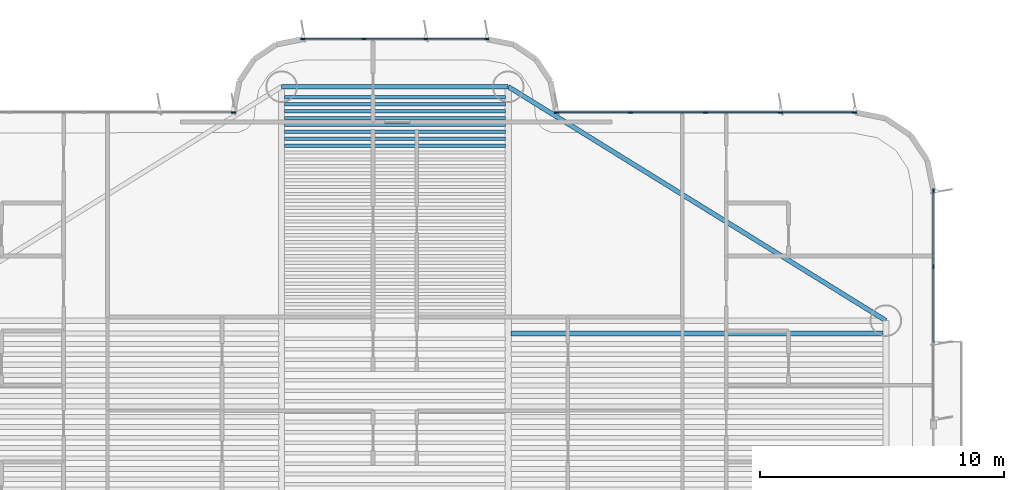
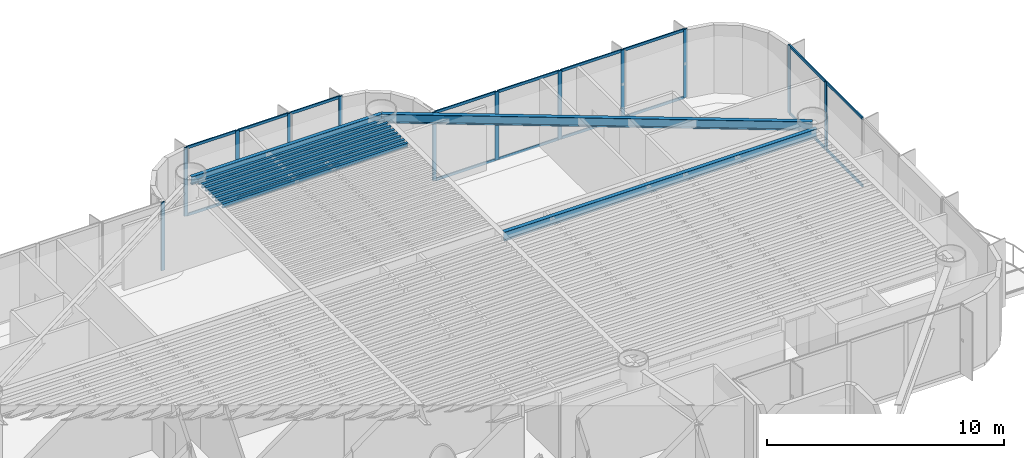
# One storey, part 7 of 17: 30 members, 11 beams, 4 elements without a shape of their own.
"""IFC4 building model written with IfcOpenShell, lengths in metres."""

import ifcopenshell
import ifcopenshell.guid

model = None  # the IFC model being written
_history = None  # IfcOwnerHistory: only IFC2X3 demands one
_inside = {}  # id of a spatial element -> (the spatial element, [elements in it])
_under = {}  # id of a project, library or spatial element -> (it, [spatial elements below it])
_declared = {}  # id of a project -> (the project, [libraries it declares])
_typed = {}  # id of a type object -> (the type object, [elements of that type])
_made_of = {}  # id of a material, layer set ... -> (it, [elements and type objects made of it])


def new_model(schema):
    """Start an empty IFC model of exactly this schema.

    Asked for "IFC4X3", IfcOpenShell would pick the latest addendum, in which some entities
    have other attributes; the version numbers below select the first issue.
    IFC2X3 requires an IfcOwnerHistory on every rooted entity: one is made here for all.
    """
    global model, _history
    if schema == "IFC4X3":
        model = ifcopenshell.file(schema_version=(4, 3, 0, 0))
    else:
        model = ifcopenshell.file(schema=schema)
    _inside.clear()
    _under.clear()
    _declared.clear()
    _typed.clear()
    _made_of.clear()
    _history = None
    if model.schema == "IFC2X3":
        org = make("IfcOrganization", Name="unknown")
        user = make(
            "IfcPersonAndOrganization",
            ThePerson=make("IfcPerson", FamilyName="unknown"),
            TheOrganization=org,
        )
        app = make(
            "IfcApplication",
            ApplicationDeveloper=org,
            Version="unknown",
            ApplicationFullName="unknown",
            ApplicationIdentifier="unknown",
        )
        _history = make(
            "IfcOwnerHistory",
            OwningUser=user,
            OwningApplication=app,
            ChangeAction="ADDED",
            CreationDate=0,
        )
    return model


def make(cls, **values):
    """One entity of the class cls with the attributes given. An attribute that is None is left unset."""
    return model.create_entity(
        cls, **{name: value for name, value in values.items() if value is not None}
    )


def rooted(cls, **values):
    """An entity with a GlobalId (a new one), such as an element, a storey or a relation."""
    return make(cls, GlobalId=ifcopenshell.guid.new(), OwnerHistory=_history, **values)


def si_unit(unit_type, name, prefix=None):
    """IfcSIUnit, for example si_unit("LENGTHUNIT", "METRE", prefix="MILLI")."""
    return make("IfcSIUnit", UnitType=unit_type, Prefix=prefix, Name=name)


def assignment(units):
    """IfcUnitAssignment: the units of a project."""
    return None if units is None else make("IfcUnitAssignment", Units=units)


def point(xyz):
    """IfcCartesianPoint."""
    return None if xyz is None else make("IfcCartesianPoint", Coordinates=xyz)


def direction(xyz):
    """IfcDirection."""
    return None if xyz is None else make("IfcDirection", DirectionRatios=xyz)


def frame(location, z_axis=None, x_axis=None):
    """IfcAxis2Placement3D, a coordinate frame: its origin and axes. An axis left out is left unset."""
    return make(
        "IfcAxis2Placement3D",
        Location=point(location),
        Axis=direction(z_axis),
        RefDirection=direction(x_axis),
    )


def frame_2d(location, x_axis=None):
    """IfcAxis2Placement2D, a coordinate frame in the plane: its origin and x axis."""
    return make(
        "IfcAxis2Placement2D", Location=point(location), RefDirection=direction(x_axis)
    )


def origin():
    """The frame at (0, 0, 0) with its axes left unset."""
    return frame((0.0, 0.0, 0.0))


def origin_2d():
    """The frame at (0, 0) in the plane with its x axis left unset."""
    return frame_2d((0.0, 0.0))


def place(relative_to, where):
    """IfcLocalPlacement: puts the frame where relative to a parent placement (None: the world)."""
    return make(
        "IfcLocalPlacement", PlacementRelTo=relative_to, RelativePlacement=where
    )


def context(
    kind, dimensions, precision=None, world=None, true_north=None, identifier=None
):
    """IfcGeometricRepresentationContext, for example the 3D "Model" context."""
    return make(
        "IfcGeometricRepresentationContext",
        ContextIdentifier=identifier,
        ContextType=kind,
        CoordinateSpaceDimension=dimensions,
        Precision=precision,
        WorldCoordinateSystem=world,
        TrueNorth=true_north,
    )


def subcontext(parent, identifier, kind, view, scale=None):
    """IfcGeometricRepresentationSubContext, for example "Body" below "Model"."""
    return make(
        "IfcGeometricRepresentationSubContext",
        ContextIdentifier=identifier,
        ContextType=kind,
        ParentContext=parent,
        TargetScale=scale,
        TargetView=view,
    )


def project(units=None, contexts=None):
    """IfcProject with its units and contexts."""
    return rooted(
        "IfcProject",
        Name="project",
        RepresentationContexts=contexts,
        UnitsInContext=assignment(units),
    )


def spatial(cls, under=None, at=None, **own):
    """A site, building, storey or space (cls), placed at a placement, below another one or the project."""
    s = rooted(cls, ObjectPlacement=at, **own)
    if under is not None:
        _under.setdefault(under.id(), (under, []))[1].append(s)
    return s


def profile(cls, at=None, kind="AREA", **sizes):
    """A parametric profile (cls). Its sizes go by their IFC names, for example OverallWidth=200.0."""
    return make(cls, ProfileType=kind, Position=at, **sizes)


def rectangle(**sizes):
    """IfcRectangleProfileDef."""
    return profile("IfcRectangleProfileDef", **sizes)


def i_section(**sizes):
    """IfcIShapeProfileDef."""
    return profile("IfcIShapeProfileDef", **sizes)


def extrude(swept, where, along, depth):
    """IfcExtrudedAreaSolid: the profile swept, set in the frame where, extruded along a direction by depth."""
    return make(
        "IfcExtrudedAreaSolid",
        SweptArea=swept,
        Position=where,
        ExtrudedDirection=direction(along),
        Depth=depth,
    )


def shape(context_of_items, identifier, shape_type, items):
    """IfcShapeRepresentation: the items that make up one representation, for example the "Body"."""
    return make(
        "IfcShapeRepresentation",
        ContextOfItems=context_of_items,
        RepresentationIdentifier=identifier,
        RepresentationType=shape_type,
        Items=items,
    )


def source(mapping_origin, context_of_items, identifier, shape_type, items):
    """IfcRepresentationMap: a shape defined once, which mapped items show again and again."""
    return make(
        "IfcRepresentationMap",
        MappingOrigin=mapping_origin,
        MappedRepresentation=shape(context_of_items, identifier, shape_type, items),
    )


def transform(
    local_origin,
    x_axis=None,
    y_axis=None,
    z_axis=None,
    scale=None,
    scale2=None,
    scale3=None,
    uniform=True,
):
    """IfcCartesianTransformationOperator3D, or its non-uniform kind. x_axis, y_axis, z_axis: its Axis1, 2, 3."""
    if uniform:
        return make(
            "IfcCartesianTransformationOperator3D",
            Axis1=direction(x_axis),
            Axis2=direction(y_axis),
            LocalOrigin=point(local_origin),
            Scale=scale,
            Axis3=direction(z_axis),
        )
    return make(
        "IfcCartesianTransformationOperator3DnonUniform",
        Axis1=direction(x_axis),
        Axis2=direction(y_axis),
        LocalOrigin=point(local_origin),
        Scale=scale,
        Axis3=direction(z_axis),
        Scale2=scale2,
        Scale3=scale3,
    )


def mapped(mapping_source, mapping_target):
    """IfcMappedItem: shows the shape of a source again, moved by a transform."""
    return make(
        "IfcMappedItem", MappingSource=mapping_source, MappingTarget=mapping_target
    )


def material(Name=None, Category=None):
    """IfcMaterial."""
    return make("IfcMaterial", Name=Name, Category=Category)


def layer(
    of_material, thickness, ventilated=None, Name=None, Category=None, Priority=None
):
    """IfcMaterialLayer: one layer of a wall or slab, of a material (None: an air gap)."""
    return make(
        "IfcMaterialLayer",
        Material=of_material,
        LayerThickness=thickness,
        IsVentilated=ventilated,
        Name=Name,
        Category=Category,
        Priority=Priority,
    )


def layer_set(layers, Name=None):
    """IfcMaterialLayerSet."""
    return make("IfcMaterialLayerSet", MaterialLayers=layers, LayerSetName=Name)


def material_profile(
    of_material, cross_section, Name=None, Category=None, Priority=None
):
    """IfcMaterialProfile: a cross section and its material."""
    return make(
        "IfcMaterialProfile",
        Name=Name,
        Material=of_material,
        Profile=cross_section,
        Priority=Priority,
        Category=Category,
    )


def profile_set(profiles, Name=None, composite=None):
    """IfcMaterialProfileSet."""
    return make(
        "IfcMaterialProfileSet",
        Name=Name,
        MaterialProfiles=profiles,
        CompositeProfile=composite,
    )


def made_of(thing, what):
    """Note that an element or type object is made of a material, layer set ...; save() writes the relation."""
    if what is not None:
        _made_of.setdefault(what.id(), (what, []))[1].append(thing)
    return thing


def type_object(cls, material=None, **own):
    """A type object (cls), such as IfcWallType, which elements share."""
    return made_of(rooted(cls, **own), material)


def element(
    cls,
    number,
    at=None,
    inside=None,
    cuts=None,
    type_object=None,
    material=None,
    context=None,
    identifier="Body",
    shape_type=None,
    held_by="IfcProductDefinitionShape",
    body=None,
    shapes=None,
    **own,
):
    """One element of the class cls, such as IfcWall. Its Tag is "e" and its number.

    at: its placement. inside: the storey or other place that contains it. cuts: it is an
    opening in that element (IfcRelVoidsElement). A single representation is given by context,
    identifier, shape_type and body (its items); several are given by shapes. held_by: the class
    of the entity that holds the representations. save() writes the other relations.
    """
    e = rooted(cls, Tag="e%d" % number, ObjectPlacement=at, **own)
    if body is not None:
        shapes = [shape(context, identifier, shape_type, body)]
    if shapes is not None:
        e.Representation = make(held_by, Representations=shapes)
    if inside is not None:
        _inside.setdefault(inside.id(), (inside, []))[1].append(e)
    if cuts is not None:
        rooted(
            "IfcRelVoidsElement", RelatingBuildingElement=cuts, RelatedOpeningElement=e
        )
    if type_object is not None:
        _typed.setdefault(type_object.id(), (type_object, []))[1].append(e)
    return made_of(e, material)


def aggregate(whole, parts):
    """IfcRelAggregates: a whole, such as a stair, and the parts it consists of."""
    return rooted("IfcRelAggregates", RelatingObject=whole, RelatedObjects=parts)


def save(model, path):
    """Write the relations noted so far, then the file.

    IfcRelAggregates (storeys below a building ...), IfcRelContainedInSpatialStructure (elements
    in a storey), IfcRelDefinesByType, IfcRelAssociatesMaterial and IfcRelDeclares: one each for
    every whole, place, type object, material and project.
    """
    for whole, parts in _under.values():
        aggregate(whole, parts)
    for where, things in _inside.values():
        rooted(
            "IfcRelContainedInSpatialStructure",
            RelatedElements=things,
            RelatingStructure=where,
        )
    for kind, things in _typed.values():
        rooted("IfcRelDefinesByType", RelatedObjects=things, RelatingType=kind)
    for what, things in _made_of.values():
        rooted("IfcRelAssociatesMaterial", RelatedObjects=things, RelatingMaterial=what)
    for by, libraries in _declared.values():
        rooted("IfcRelDeclares", RelatingContext=by, RelatedDefinitions=libraries)
    model.write(path)


model = new_model("IFC4")

# Units and contexts
model_context = context("Model", 3, precision=1e-05, world=origin(), true_north=direction((0.0, 1.0)))
body_context = subcontext(model_context, "Body", "Model", "MODEL_VIEW")
ifc_project = project(units=[si_unit("LENGTHUNIT", "METRE"), si_unit("AREAUNIT", "SQUARE_METRE"), si_unit("VOLUMEUNIT", "CUBIC_METRE"), si_unit("PLANEANGLEUNIT", "RADIAN"), si_unit("MASSUNIT", "GRAM", prefix="KILO")], contexts=[model_context])

# Site, building, storey
site_placement = place(None, origin())
site = spatial("IfcSite", under=ifc_project, at=site_placement, CompositionType="ELEMENT")
building_placement = place(site_placement, origin())
building = spatial("IfcBuilding", under=site, at=building_placement, Name="Brelvock Crest Care Tower", CompositionType="ELEMENT")
storey_placement = place(building_placement, frame((0.0, 0.0, 131.39990234375)))
storey = spatial("IfcBuildingStorey", under=building, at=storey_placement, Name="L33", CompositionType="ELEMENT", Elevation=131.39990234375)

# Beams
ifc_material_1 = material(Name="Steel Grade 350", Category="steel")
ifc_material_profile_1 = material_profile(ifc_material_1, i_section(OverallWidth=0.177978515625, OverallDepth=0.406005859375, WebThickness=0.0078125, FlangeThickness=0.0126953125, FilletRadius=0.011474609375, at=origin_2d()), Name="410UB59.7")
ifc_profile_set_1 = profile_set([ifc_material_profile_1], Name="Steel Grade 350")
beam_type_1 = type_object("IfcBeamType", Name="BM-SP1", PredefinedType="SPANDREL", material=ifc_profile_set_1)
shared_shape_1 = source(origin(), body_context, "Body", "SweptSolid", [
    extrude(i_section(OverallWidth=0.177978515625, OverallDepth=0.406005859375, WebThickness=0.0078125, FlangeThickness=0.0126953125, FilletRadius=0.011474609375, at=origin_2d()), origin(), (0.0, 0.0, 1.0), 9.2998046875),
])
beam_1_placement = place(storey_placement, frame((31.35009765625, 48.449951171875, 3.3271484375), z_axis=(1.0, 0.0, 0.0), x_axis=(0.0, 1.0, 0.0)))
element("IfcBeam", 1, at=beam_1_placement, inside=storey, type_object=beam_type_1, Name="BM-TWR-L33-08", PredefinedType="SPANDREL", context=body_context, shape_type="MappedRepresentation", body=[
    mapped(shared_shape_1, transform((0.0, 0.0, 0.0), x_axis=(1.0, 0.0, 0.0), y_axis=(0.0, 1.0, 0.0), z_axis=(0.0, 0.0, 1.0), scale=1.0)),
])
ifc_material_profile_2 = material_profile(ifc_material_1, i_section(OverallWidth=0.134033203125, OverallDepth=0.20703125, WebThickness=0.00634765625, FlangeThickness=0.009521484375, FilletRadius=0.0087890625, at=origin_2d()), Name="200UB29.8")
ifc_profile_set_2 = profile_set([ifc_material_profile_2], Name="Steel Grade 350")
beam_type_2 = type_object("IfcBeamType", Name="BM-J4", PredefinedType="JOIST", material=ifc_profile_set_2)
shared_shape_2 = source(origin(), body_context, "Body", "SweptSolid", [
    extrude(i_section(OverallWidth=0.134033203125, OverallDepth=0.20703125, WebThickness=0.00634765625, FlangeThickness=0.009521484375, FilletRadius=0.0087890625, at=origin_2d()), origin(), (0.0, 0.0, 1.0), 9.06982421875),
])
for number, where, z_axis, x_axis, name in (
    (2, (31.465087890625, 46.03076171875, 3.426513671875), (1.0, 0.0, 0.0), (0.0, 1.0, 0.0), "BM-JN-L33-25"),
    (3, (31.465087890625, 46.31396484375, 3.426513671875), (1.0, 0.0, 0.0), (0.0, 1.0, 0.0), "BM-JN-L33-26"),
    (4, (31.465087890625, 46.59716796875, 3.426513671875), (1.0, 0.0, 0.0), (0.0, 1.0, 0.0), "BM-JN-L33-27"),
    (5, (31.465087890625, 46.88037109375, 3.426513671875), (1.0, 0.0, 0.0), (0.0, 1.0, 0.0), "BM-JN-L33-28"),
    (6, (31.465087890625, 47.16357421875, 3.426513671875), (1.0, 0.0, 0.0), (0.0, 1.0, 0.0), "BM-JN-L33-29"),
    (7, (31.465087890625, 47.44677734375, 3.426513671875), (1.0, 0.0, 0.0), (0.0, 1.0, 0.0), "BM-JN-L33-30"),
    (8, (31.465087890625, 47.72998046875, 3.426513671875), (1.0, 0.0, 0.0), (0.0, 1.0, 0.0), "BM-JN-L33-31"),
    (9, (31.465087890625, 48.01318359375, 3.426513671875), (1.0, 0.0, 0.0), (0.0, 1.0, 0.0), "BM-JN-L33-32"),
):
    element("IfcBeam", number, at=place(storey_placement, frame(where, z_axis=z_axis, x_axis=x_axis)), inside=storey, type_object=beam_type_2, Name=name, PredefinedType="JOIST", context=body_context, shape_type="MappedRepresentation", body=[
        mapped(shared_shape_2, transform((0.0, 0.0, 0.0), x_axis=(1.0, 0.0, 0.0), y_axis=(0.0, 1.0, 0.0), z_axis=(0.0, 0.0, 1.0), scale=1.0)),
    ])
ifc_material_profile_3 = material_profile(ifc_material_1, i_section(OverallWidth=0.19091796875, OverallDepth=0.4599609375, WebThickness=0.010009765625, FlangeThickness=0.01611328125, FilletRadius=0.011474609375, at=origin_2d()), Name="460UB82.1")
ifc_profile_set_3 = profile_set([ifc_material_profile_3], Name="Steel Grade 350")
beam_type_3 = type_object("IfcBeamType", Name="BM-G3", PredefinedType="BEAM", material=ifc_profile_set_3)
shared_shape_3 = source(origin(), body_context, "Body", "SweptSolid", [
    extrude(i_section(OverallWidth=0.19091796875, OverallDepth=0.4599609375, WebThickness=0.010009765625, FlangeThickness=0.01611328125, FilletRadius=0.011474609375, at=origin_2d()), origin(), (0.0, 0.0, 1.0), 15.27001953125),
])
beam_2_placement = place(storey_placement, frame((40.764892578125, 38.317626953125, 3.300048828125), z_axis=(1.0, 0.0, 0.0), x_axis=(0.0, 1.0, 0.0)))
element("IfcBeam", 10, at=beam_2_placement, inside=storey, type_object=beam_type_3, Name="BM-JE-L33-26", PredefinedType="BEAM", context=body_context, shape_type="MappedRepresentation", body=[
    mapped(shared_shape_3, transform((0.0, 0.0, 0.0), x_axis=(1.0, 0.0, 0.0), y_axis=(0.0, 1.0, 0.0), z_axis=(0.0, 0.0, 1.0), scale=1.0)),
])
ifc_material_profile_4 = material_profile(ifc_material_1, i_section(OverallWidth=0.19091796875, OverallDepth=0.4599609375, WebThickness=0.010009765625, FlangeThickness=0.01611328125, FilletRadius=0.011474609375, at=origin_2d()), Name="460UB82.1")
ifc_profile_set_4 = profile_set([ifc_material_profile_4], Name="Steel Grade 350")
beam_type_4 = type_object("IfcBeamType", Name="BM-SP2", PredefinedType="SPANDREL", material=ifc_profile_set_4)
shared_shape_4 = source(origin(), body_context, "Body", "SweptSolid", [
    extrude(i_section(OverallWidth=0.19091796875, OverallDepth=0.4599609375, WebThickness=0.010009765625, FlangeThickness=0.01611328125, FilletRadius=0.011474609375, at=origin_2d()), origin(), (0.0, 0.0, 1.0), 18.23193359375),
])
beam_3_placement = place(storey_placement, frame((40.64990234375, 48.449951171875, 3.300048828125), z_axis=(0.85015183248, -0.526537616635, 0.0), x_axis=(0.526537616635, 0.85015183248, 0.0)))
element("IfcBeam", 11, at=beam_3_placement, inside=storey, type_object=beam_type_4, Name="BM-TWR-L33-07", PredefinedType="SPANDREL", context=body_context, shape_type="MappedRepresentation", body=[
    mapped(shared_shape_4, transform((0.0, 0.0, 0.0), x_axis=(1.0, 0.0, 0.0), y_axis=(0.0, 1.0, 0.0), z_axis=(0.0, 0.0, 1.0), scale=1.0)),
])

# Curtain wall, member
ifc_material_2 = material(Name="Dark Glass Double Glazed Low-E", Category="glass")
ifc_layer = layer(ifc_material_2, 0.2099609375, Name="CWS-3")
ifc_layer_set = layer_set([ifc_layer], Name="Dark Glass Double Glazed Low-E")
curtain_wall_type = type_object("IfcCurtainWallType", Name="CWS-3", PredefinedType="NOTDEFINED", material=ifc_layer_set)
curtain_wall_1_placement = place(storey_placement, origin())
curtain_wall_1 = element("IfcCurtainWall", 12, at=curtain_wall_1_placement, inside=storey, type_object=curtain_wall_type, Name="L33 Curtain Wall E22", PredefinedType="NOTDEFINED")
ifc_material_3 = material(Name="Aluminium 6063-T6", Category="aluminium")
ifc_material_profile_5 = material_profile(ifc_material_3, rectangle(XDim=0.06005859375, YDim=0.179931640625, at=origin_2d()), Name="ALU60x180")
ifc_profile_set_5 = profile_set([ifc_material_profile_5], Name="Aluminium 6063-T6")
member_type_1 = type_object("IfcMemberType", Name="CWM-2", PredefinedType="MULLION", material=ifc_profile_set_5)
shared_shape_5 = source(origin(), body_context, "Body", "SweptSolid", [
    extrude(rectangle(XDim=0.06005859375, YDim=0.179931640625, at=origin_2d()), origin(), (0.0, 0.0, 1.0), 3.530029296875),
])
member_1_placement = place(storey_placement, frame((29.3701171875, 47.39990234375, 0.0), z_axis=(0.0, 0.0, 1.0), x_axis=(0.0, 1.0, 0.0)))
member_1 = element("IfcMember", 13, at=member_1_placement, type_object=member_type_1, Name="CW-3 mullion 5", PredefinedType="MULLION", context=body_context, shape_type="MappedRepresentation", body=[
    mapped(shared_shape_5, transform((0.0, 0.0, 0.0), x_axis=(1.0, 0.0, 0.0), y_axis=(0.0, 1.0, 0.0), z_axis=(0.0, 0.0, 1.0), scale=1.0)),
])
aggregate(curtain_wall_1, [member_1])

# Curtain wall, members
curtain_wall_2_placement = place(storey_placement, origin())
curtain_wall_2 = element("IfcCurtainWall", 14, at=curtain_wall_2_placement, inside=storey, type_object=curtain_wall_type, Name="L33 Curtain Wall E28", PredefinedType="NOTDEFINED")
member_2_placement = place(storey_placement, frame((32.22998046875, 50.39990234375, 0.0), z_axis=(0.0, 0.0, 1.0), x_axis=(0.0, 1.0, 0.0)))
member_2 = element("IfcMember", 15, at=member_2_placement, type_object=member_type_1, Name="CW-3 mullion 1", PredefinedType="MULLION", context=body_context, shape_type="MappedRepresentation", body=[
    mapped(shared_shape_5, transform((0.0, 0.0, 0.0), x_axis=(1.0, 0.0, 0.0), y_axis=(0.0, 1.0, 0.0), z_axis=(0.0, 0.0, 1.0), scale=1.0)),
])
member_3_placement = place(storey_placement, frame((34.7333984375, 50.39990234375, 0.0), z_axis=(0.0, 0.0, 1.0), x_axis=(0.0, 1.0, 0.0)))
member_3 = element("IfcMember", 16, at=member_3_placement, type_object=member_type_1, Name="CW-3 mullion 2", PredefinedType="MULLION", context=body_context, shape_type="MappedRepresentation", body=[
    mapped(shared_shape_5, transform((0.0, 0.0, 0.0), x_axis=(1.0, 0.0, 0.0), y_axis=(0.0, 1.0, 0.0), z_axis=(0.0, 0.0, 1.0), scale=1.0)),
])
member_4_placement = place(storey_placement, frame((37.2666015625, 50.39990234375, 0.0), z_axis=(0.0, 0.0, 1.0), x_axis=(0.0, 1.0, 0.0)))
member_4 = element("IfcMember", 17, at=member_4_placement, type_object=member_type_1, Name="CW-3 mullion 3", PredefinedType="MULLION", context=body_context, shape_type="MappedRepresentation", body=[
    mapped(shared_shape_5, transform((0.0, 0.0, 0.0), x_axis=(1.0, 0.0, 0.0), y_axis=(0.0, 1.0, 0.0), z_axis=(0.0, 0.0, 1.0), scale=1.0)),
])
member_5_placement = place(storey_placement, frame((39.77001953125, 50.39990234375, 0.0), z_axis=(0.0, 0.0, 1.0), x_axis=(0.0, 1.0, 0.0)))
member_5 = element("IfcMember", 18, at=member_5_placement, type_object=member_type_1, Name="CW-3 mullion 4", PredefinedType="MULLION", context=body_context, shape_type="MappedRepresentation", body=[
    mapped(shared_shape_5, transform((0.0, 0.0, 0.0), x_axis=(1.0, 0.0, 0.0), y_axis=(0.0, 1.0, 0.0), z_axis=(0.0, 0.0, 1.0), scale=1.0)),
])

curtain_wall_3_placement = place(storey_placement, origin())
curtain_wall_3 = element("IfcCurtainWall", 19, at=curtain_wall_3_placement, inside=storey, type_object=curtain_wall_type, Name="L33 Curtain Wall E34", PredefinedType="NOTDEFINED")
member_6_placement = place(storey_placement, frame((42.6298828125, 47.39990234375, 0.0), z_axis=(0.0, 0.0, 1.0), x_axis=(0.0, 1.0, 0.0)))
member_6 = element("IfcMember", 20, at=member_6_placement, type_object=member_type_1, Name="CW-3 mullion 1", PredefinedType="MULLION", context=body_context, shape_type="MappedRepresentation", body=[
    mapped(shared_shape_5, transform((0.0, 0.0, 0.0), x_axis=(1.0, 0.0, 0.0), y_axis=(0.0, 1.0, 0.0), z_axis=(0.0, 0.0, 1.0), scale=1.0)),
])
member_7_placement = place(storey_placement, frame((45.675048828125, 47.39990234375, 0.0), z_axis=(0.0, 0.0, 1.0), x_axis=(0.0, 1.0, 0.0)))
member_7 = element("IfcMember", 21, at=member_7_placement, type_object=member_type_1, Name="CW-3 mullion 2", PredefinedType="MULLION", context=body_context, shape_type="MappedRepresentation", body=[
    mapped(shared_shape_5, transform((0.0, 0.0, 0.0), x_axis=(1.0, 0.0, 0.0), y_axis=(0.0, 1.0, 0.0), z_axis=(0.0, 0.0, 1.0), scale=1.0)),
])
member_8_placement = place(storey_placement, frame((48.75, 47.39990234375, 0.0), z_axis=(0.0, 0.0, 1.0), x_axis=(0.0, 1.0, 0.0)))
member_8 = element("IfcMember", 22, at=member_8_placement, type_object=member_type_1, Name="CW-3 mullion 3", PredefinedType="MULLION", context=body_context, shape_type="MappedRepresentation", body=[
    mapped(shared_shape_5, transform((0.0, 0.0, 0.0), x_axis=(1.0, 0.0, 0.0), y_axis=(0.0, 1.0, 0.0), z_axis=(0.0, 0.0, 1.0), scale=1.0)),
])
member_9_placement = place(storey_placement, frame((51.824951171875, 47.39990234375, 0.0), z_axis=(0.0, 0.0, 1.0), x_axis=(0.0, 1.0, 0.0)))
member_9 = element("IfcMember", 23, at=member_9_placement, type_object=member_type_1, Name="CW-3 mullion 4", PredefinedType="MULLION", context=body_context, shape_type="MappedRepresentation", body=[
    mapped(shared_shape_5, transform((0.0, 0.0, 0.0), x_axis=(1.0, 0.0, 0.0), y_axis=(0.0, 1.0, 0.0), z_axis=(0.0, 0.0, 1.0), scale=1.0)),
])
member_10_placement = place(storey_placement, frame((54.8701171875, 47.39990234375, 0.0), z_axis=(0.0, 0.0, 1.0), x_axis=(0.0, 1.0, 0.0)))
member_10 = element("IfcMember", 24, at=member_10_placement, type_object=member_type_1, Name="CW-3 mullion 5", PredefinedType="MULLION", context=body_context, shape_type="MappedRepresentation", body=[
    mapped(shared_shape_5, transform((0.0, 0.0, 0.0), x_axis=(1.0, 0.0, 0.0), y_axis=(0.0, 1.0, 0.0), z_axis=(0.0, 0.0, 1.0), scale=1.0)),
])

curtain_wall_4_placement = place(storey_placement, origin())
curtain_wall_4 = element("IfcCurtainWall", 25, at=curtain_wall_4_placement, inside=storey, type_object=curtain_wall_type, Name="L33 Curtain Wall E39A", PredefinedType="NOTDEFINED")
member_11_placement = place(storey_placement, frame((58.10009765625, 44.169921875, 0.0), z_axis=(0.0, 0.0, 1.0), x_axis=(1.0, 0.0, 0.0)))
member_11 = element("IfcMember", 26, at=member_11_placement, type_object=member_type_1, Name="CW-3 mullion 1", PredefinedType="MULLION", context=body_context, shape_type="MappedRepresentation", body=[
    mapped(shared_shape_5, transform((0.0, 0.0, 0.0), x_axis=(1.0, 0.0, 0.0), y_axis=(0.0, 1.0, 0.0), z_axis=(0.0, 0.0, 1.0), scale=1.0)),
])
member_12_placement = place(storey_placement, frame((58.10009765625, 41.066650390625, 0.0), z_axis=(0.0, 0.0, 1.0), x_axis=(1.0, 0.0, 0.0)))
member_12 = element("IfcMember", 27, at=member_12_placement, type_object=member_type_1, Name="CW-3 mullion 2", PredefinedType="MULLION", context=body_context, shape_type="MappedRepresentation", body=[
    mapped(shared_shape_5, transform((0.0, 0.0, 0.0), x_axis=(1.0, 0.0, 0.0), y_axis=(0.0, 1.0, 0.0), z_axis=(0.0, 0.0, 1.0), scale=1.0)),
])

# Member
ifc_material_profile_6 = material_profile(ifc_material_3, rectangle(XDim=0.06005859375, YDim=0.139892578125, at=origin_2d()), Name="ALU60x140")
ifc_profile_set_6 = profile_set([ifc_material_profile_6], Name="Aluminium 6063-T6")
member_type_2 = type_object("IfcMemberType", Name="CWT-2", PredefinedType="USERDEFINED", material=ifc_profile_set_6)
shared_shape_6 = source(origin(), body_context, "Body", "SweptSolid", [
    extrude(rectangle(XDim=0.06005859375, YDim=0.139892578125, at=origin_2d()), origin(), (0.0, 0.0, 1.0), 2.985107421875),
])
member_13_placement = place(storey_placement, frame((42.659912109375, 47.39990234375, 0.030029296875), z_axis=(1.0, 0.0, 0.0), x_axis=(0.0, 1.0, 0.0)))
member_13 = element("IfcMember", 28, at=member_13_placement, type_object=member_type_2, Name="CW-3 transom 1.1", ObjectType="TRANSOM", PredefinedType="USERDEFINED", context=body_context, shape_type="MappedRepresentation", body=[
    mapped(shared_shape_6, transform((0.0, 0.0, 0.0), x_axis=(1.0, 0.0, 0.0), y_axis=(0.0, 1.0, 0.0), z_axis=(0.0, 0.0, 1.0), scale=1.0)),
])

member_14_placement = place(storey_placement, frame((42.659912109375, 47.39990234375, 3.5), z_axis=(1.0, 0.0, 0.0), x_axis=(0.0, 1.0, 0.0)))
member_14 = element("IfcMember", 29, at=member_14_placement, type_object=member_type_2, Name="CW-3 transom 1.2", ObjectType="TRANSOM", PredefinedType="USERDEFINED", context=body_context, shape_type="MappedRepresentation", body=[
    mapped(shared_shape_6, transform((0.0, 0.0, 0.0), x_axis=(1.0, 0.0, 0.0), y_axis=(0.0, 1.0, 0.0), z_axis=(0.0, 0.0, 1.0), scale=1.0)),
])

member_15_placement = place(storey_placement, frame((51.85498046875, 47.39990234375, 0.030029296875), z_axis=(1.0, 0.0, 0.0), x_axis=(0.0, 1.0, 0.0)))
member_15 = element("IfcMember", 30, at=member_15_placement, type_object=member_type_2, Name="CW-3 transom 4.1", ObjectType="TRANSOM", PredefinedType="USERDEFINED", context=body_context, shape_type="MappedRepresentation", body=[
    mapped(shared_shape_6, transform((0.0, 0.0, 0.0), x_axis=(1.0, 0.0, 0.0), y_axis=(0.0, 1.0, 0.0), z_axis=(0.0, 0.0, 1.0), scale=1.0)),
])

member_16_placement = place(storey_placement, frame((51.85498046875, 47.39990234375, 3.5), z_axis=(1.0, 0.0, 0.0), x_axis=(0.0, 1.0, 0.0)))
member_16 = element("IfcMember", 31, at=member_16_placement, type_object=member_type_2, Name="CW-3 transom 4.2", ObjectType="TRANSOM", PredefinedType="USERDEFINED", context=body_context, shape_type="MappedRepresentation", body=[
    mapped(shared_shape_6, transform((0.0, 0.0, 0.0), x_axis=(1.0, 0.0, 0.0), y_axis=(0.0, 1.0, 0.0), z_axis=(0.0, 0.0, 1.0), scale=1.0)),
])

shared_shape_7 = source(origin(), body_context, "Body", "SweptSolid", [
    extrude(rectangle(XDim=0.06005859375, YDim=0.139892578125, at=origin_2d()), origin(), (0.0, 0.0, 1.0), 3.014892578125),
])
member_17_placement = place(storey_placement, frame((45.705078125, 47.39990234375, 0.030029296875), z_axis=(1.0, 0.0, 0.0), x_axis=(0.0, 1.0, 0.0)))
member_17 = element("IfcMember", 32, at=member_17_placement, type_object=member_type_2, Name="CW-3 transom 2.1", ObjectType="TRANSOM", PredefinedType="USERDEFINED", context=body_context, shape_type="MappedRepresentation", body=[
    mapped(shared_shape_7, transform((0.0, 0.0, 0.0), x_axis=(1.0, 0.0, 0.0), y_axis=(0.0, 1.0, 0.0), z_axis=(0.0, 0.0, 1.0), scale=1.0)),
])

member_18_placement = place(storey_placement, frame((45.705078125, 47.39990234375, 3.5), z_axis=(1.0, 0.0, 0.0), x_axis=(0.0, 1.0, 0.0)))
member_18 = element("IfcMember", 33, at=member_18_placement, type_object=member_type_2, Name="CW-3 transom 2.2", ObjectType="TRANSOM", PredefinedType="USERDEFINED", context=body_context, shape_type="MappedRepresentation", body=[
    mapped(shared_shape_7, transform((0.0, 0.0, 0.0), x_axis=(1.0, 0.0, 0.0), y_axis=(0.0, 1.0, 0.0), z_axis=(0.0, 0.0, 1.0), scale=1.0)),
])

member_19_placement = place(storey_placement, frame((48.780029296875, 47.39990234375, 0.030029296875), z_axis=(1.0, 0.0, 0.0), x_axis=(0.0, 1.0, 0.0)))
member_19 = element("IfcMember", 34, at=member_19_placement, type_object=member_type_2, Name="CW-3 transom 3.1", ObjectType="TRANSOM", PredefinedType="USERDEFINED", context=body_context, shape_type="MappedRepresentation", body=[
    mapped(shared_shape_7, transform((0.0, 0.0, 0.0), x_axis=(1.0, 0.0, 0.0), y_axis=(0.0, 1.0, 0.0), z_axis=(0.0, 0.0, 1.0), scale=1.0)),
])

member_20_placement = place(storey_placement, frame((48.780029296875, 47.39990234375, 3.5), z_axis=(1.0, 0.0, 0.0), x_axis=(0.0, 1.0, 0.0)))
member_20 = element("IfcMember", 35, at=member_20_placement, type_object=member_type_2, Name="CW-3 transom 3.2", ObjectType="TRANSOM", PredefinedType="USERDEFINED", context=body_context, shape_type="MappedRepresentation", body=[
    mapped(shared_shape_7, transform((0.0, 0.0, 0.0), x_axis=(1.0, 0.0, 0.0), y_axis=(0.0, 1.0, 0.0), z_axis=(0.0, 0.0, 1.0), scale=1.0)),
])

aggregate(curtain_wall_3, [member_6, member_7, member_8, member_9, member_10, member_13, member_14, member_17, member_18, member_19, member_20, member_15, member_16])

shared_shape_8 = source(origin(), body_context, "Body", "SweptSolid", [
    extrude(rectangle(XDim=0.06005859375, YDim=0.139892578125, at=origin_2d()), origin(), (0.0, 0.0, 1.0), 2.443359375),
])
member_21_placement = place(storey_placement, frame((32.260009765625, 50.39990234375, 0.030029296875), z_axis=(1.0, 0.0, 0.0), x_axis=(0.0, 1.0, 0.0)))
member_21 = element("IfcMember", 36, at=member_21_placement, type_object=member_type_2, Name="CW-3 transom 1.1", ObjectType="TRANSOM", PredefinedType="USERDEFINED", context=body_context, shape_type="MappedRepresentation", body=[
    mapped(shared_shape_8, transform((0.0, 0.0, 0.0), x_axis=(1.0, 0.0, 0.0), y_axis=(0.0, 1.0, 0.0), z_axis=(0.0, 0.0, 1.0), scale=1.0)),
])

member_22_placement = place(storey_placement, frame((32.260009765625, 50.39990234375, 3.5), z_axis=(1.0, 0.0, 0.0), x_axis=(0.0, 1.0, 0.0)))
member_22 = element("IfcMember", 37, at=member_22_placement, type_object=member_type_2, Name="CW-3 transom 1.2", ObjectType="TRANSOM", PredefinedType="USERDEFINED", context=body_context, shape_type="MappedRepresentation", body=[
    mapped(shared_shape_8, transform((0.0, 0.0, 0.0), x_axis=(1.0, 0.0, 0.0), y_axis=(0.0, 1.0, 0.0), z_axis=(0.0, 0.0, 1.0), scale=1.0)),
])

member_23_placement = place(storey_placement, frame((37.296630859375, 50.39990234375, 0.030029296875), z_axis=(1.0, 0.0, 0.0), x_axis=(0.0, 1.0, 0.0)))
member_23 = element("IfcMember", 38, at=member_23_placement, type_object=member_type_2, Name="CW-3 transom 3.1", ObjectType="TRANSOM", PredefinedType="USERDEFINED", context=body_context, shape_type="MappedRepresentation", body=[
    mapped(shared_shape_8, transform((0.0, 0.0, 0.0), x_axis=(1.0, 0.0, 0.0), y_axis=(0.0, 1.0, 0.0), z_axis=(0.0, 0.0, 1.0), scale=1.0)),
])

member_24_placement = place(storey_placement, frame((37.296630859375, 50.39990234375, 3.5), z_axis=(1.0, 0.0, 0.0), x_axis=(0.0, 1.0, 0.0)))
member_24 = element("IfcMember", 39, at=member_24_placement, type_object=member_type_2, Name="CW-3 transom 3.2", ObjectType="TRANSOM", PredefinedType="USERDEFINED", context=body_context, shape_type="MappedRepresentation", body=[
    mapped(shared_shape_8, transform((0.0, 0.0, 0.0), x_axis=(1.0, 0.0, 0.0), y_axis=(0.0, 1.0, 0.0), z_axis=(0.0, 0.0, 1.0), scale=1.0)),
])

shared_shape_9 = source(origin(), body_context, "Body", "SweptSolid", [
    extrude(rectangle(XDim=0.06005859375, YDim=0.139892578125, at=origin_2d()), origin(), (0.0, 0.0, 1.0), 2.47314453125),
])
member_25_placement = place(storey_placement, frame((34.763427734375, 50.39990234375, 0.030029296875), z_axis=(1.0, 0.0, 0.0), x_axis=(0.0, 1.0, 0.0)))
member_25 = element("IfcMember", 40, at=member_25_placement, type_object=member_type_2, Name="CW-3 transom 2.1", ObjectType="TRANSOM", PredefinedType="USERDEFINED", context=body_context, shape_type="MappedRepresentation", body=[
    mapped(shared_shape_9, transform((0.0, 0.0, 0.0), x_axis=(1.0, 0.0, 0.0), y_axis=(0.0, 1.0, 0.0), z_axis=(0.0, 0.0, 1.0), scale=1.0)),
])

member_26_placement = place(storey_placement, frame((34.763427734375, 50.39990234375, 3.5), z_axis=(1.0, 0.0, 0.0), x_axis=(0.0, 1.0, 0.0)))
member_26 = element("IfcMember", 41, at=member_26_placement, type_object=member_type_2, Name="CW-3 transom 2.2", ObjectType="TRANSOM", PredefinedType="USERDEFINED", context=body_context, shape_type="MappedRepresentation", body=[
    mapped(shared_shape_9, transform((0.0, 0.0, 0.0), x_axis=(1.0, 0.0, 0.0), y_axis=(0.0, 1.0, 0.0), z_axis=(0.0, 0.0, 1.0), scale=1.0)),
])

aggregate(curtain_wall_2, [member_2, member_3, member_4, member_5, member_21, member_22, member_25, member_26, member_23, member_24])

shared_shape_10 = source(origin(), body_context, "Body", "SweptSolid", [
    extrude(rectangle(XDim=0.06005859375, YDim=0.139892578125, at=origin_2d()), origin(), (0.0, 0.0, 1.0), 3.043212890625),
])
member_27_placement = place(storey_placement, frame((58.10009765625, 44.139892578125, 0.030029296875), z_axis=(0.0, -1.0, 0.0), x_axis=(1.0, 0.0, 0.0)))
member_27 = element("IfcMember", 42, at=member_27_placement, type_object=member_type_2, Name="CW-3 transom 1.1", ObjectType="TRANSOM", PredefinedType="USERDEFINED", context=body_context, shape_type="MappedRepresentation", body=[
    mapped(shared_shape_10, transform((0.0, 0.0, 0.0), x_axis=(1.0, 0.0, 0.0), y_axis=(0.0, 1.0, 0.0), z_axis=(0.0, 0.0, 1.0), scale=1.0)),
])

member_28_placement = place(storey_placement, frame((58.10009765625, 44.139892578125, 3.5), z_axis=(0.0, -1.0, 0.0), x_axis=(1.0, 0.0, 0.0)))
member_28 = element("IfcMember", 43, at=member_28_placement, type_object=member_type_2, Name="CW-3 transom 1.2", ObjectType="TRANSOM", PredefinedType="USERDEFINED", context=body_context, shape_type="MappedRepresentation", body=[
    mapped(shared_shape_10, transform((0.0, 0.0, 0.0), x_axis=(1.0, 0.0, 0.0), y_axis=(0.0, 1.0, 0.0), z_axis=(0.0, 0.0, 1.0), scale=1.0)),
])

shared_shape_11 = source(origin(), body_context, "Body", "SweptSolid", [
    extrude(rectangle(XDim=0.06005859375, YDim=0.139892578125, at=origin_2d()), origin(), (0.0, 0.0, 1.0), 3.0732421875),
])
member_29_placement = place(storey_placement, frame((58.10009765625, 41.03662109375, 0.030029296875), z_axis=(0.0, -1.0, 0.0), x_axis=(1.0, 0.0, 0.0)))
member_29 = element("IfcMember", 44, at=member_29_placement, type_object=member_type_2, Name="CW-3 transom 2.1", ObjectType="TRANSOM", PredefinedType="USERDEFINED", context=body_context, shape_type="MappedRepresentation", body=[
    mapped(shared_shape_11, transform((0.0, 0.0, 0.0), x_axis=(1.0, 0.0, 0.0), y_axis=(0.0, 1.0, 0.0), z_axis=(0.0, 0.0, 1.0), scale=1.0)),
])

member_30_placement = place(storey_placement, frame((58.10009765625, 41.03662109375, 3.5), z_axis=(0.0, -1.0, 0.0), x_axis=(1.0, 0.0, 0.0)))
member_30 = element("IfcMember", 45, at=member_30_placement, type_object=member_type_2, Name="CW-3 transom 2.2", ObjectType="TRANSOM", PredefinedType="USERDEFINED", context=body_context, shape_type="MappedRepresentation", body=[
    mapped(shared_shape_11, transform((0.0, 0.0, 0.0), x_axis=(1.0, 0.0, 0.0), y_axis=(0.0, 1.0, 0.0), z_axis=(0.0, 0.0, 1.0), scale=1.0)),
])

aggregate(curtain_wall_4, [member_11, member_12, member_27, member_28, member_29, member_30])

save(model, "model.ifc")
